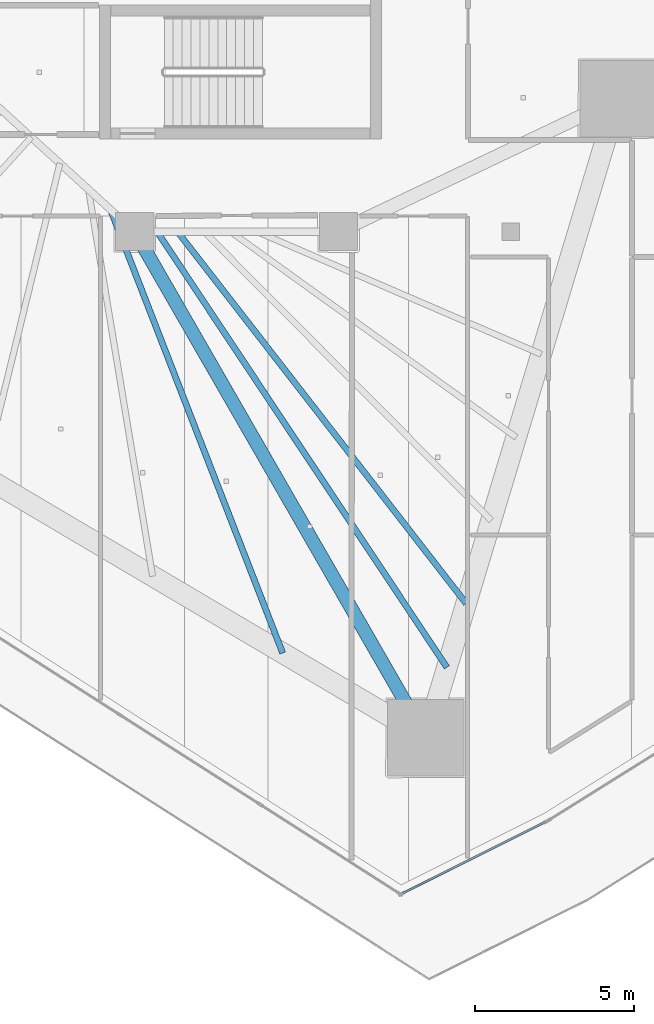
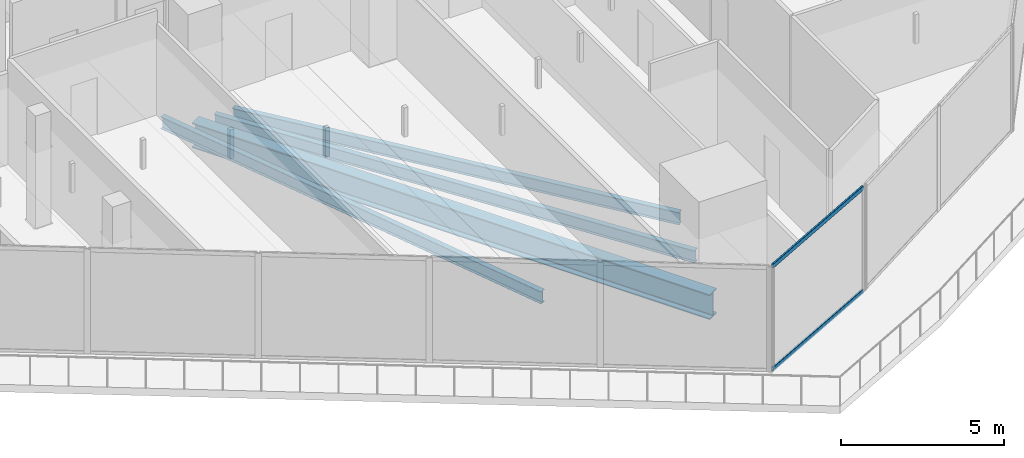
# One storey, part 7 of 44: 4 beams, 2 members, 1 element without a shape of its own.
"""IFC4 building model written with IfcOpenShell, lengths in metres."""

from ifc_helpers import new_model, si_unit, direction, frame, origin, origin_2d, place, context, subcontext, project, spatial, hollow_rectangle, i_section, extrude, material, layer, layer_set, material_profile, profile_set, type_object, element, aggregate, save


model = new_model("IFC4")

# Units and contexts
model_context = context("Model", 3, precision=1e-05, world=origin(), true_north=direction((0.0, 1.0)))
body_context = subcontext(model_context, "Body", "Model", "MODEL_VIEW")
ifc_project = project(units=[si_unit("LENGTHUNIT", "METRE"), si_unit("AREAUNIT", "SQUARE_METRE"), si_unit("VOLUMEUNIT", "CUBIC_METRE"), si_unit("PLANEANGLEUNIT", "RADIAN"), si_unit("MASSUNIT", "GRAM", prefix="KILO")], contexts=[model_context])

# Site, building, storey
site_placement = place(None, origin())
site = spatial("IfcSite", under=ifc_project, at=site_placement, CompositionType="ELEMENT")
building_placement = place(site_placement, origin())
building = spatial("IfcBuilding", under=site, at=building_placement, Name="Qorvath Tower", CompositionType="ELEMENT")
storey_placement = place(building_placement, frame((0.0, 0.0, 78.60009765625)))
storey = spatial("IfcBuildingStorey", under=building, at=storey_placement, Name="L17", CompositionType="ELEMENT", Elevation=78.60009765625)

# Beams
ifc_material_1 = material(Name="Steel ASTM A992 Grade 50", Category="steel")
ifc_material_profile_1 = material_profile(ifc_material_1, i_section(OverallWidth=0.422119140625, OverallDepth=0.93310546875, WebThickness=0.021240234375, FlangeThickness=0.039794921875, FilletRadius=0.02392578125, at=origin_2d()), Name="W36x262")
ifc_profile_set_1 = profile_set([ifc_material_profile_1], Name="Steel ASTM A992 Grade 50")
beam_type_1 = type_object("IfcBeamType", Name="BM-FG1", PredefinedType="BEAM", material=ifc_profile_set_1)
beam_1_placement = place(storey_placement, frame((-23.60009765625, -11.449951171875, -0.74658203125), z_axis=(0.498645367714, -0.866806089767, 0.0), x_axis=(0.866806089767, 0.498645367714, 0.0)))
element("IfcBeam", 1, at=beam_1_placement, inside=storey, type_object=beam_type_1, Name="Radial Floor Girder CC4-MC3 L17", PredefinedType="BEAM", context=body_context, shape_type="SweptSolid", body=[
    extrude(i_section(OverallWidth=0.422119140625, OverallDepth=0.93310546875, WebThickness=0.021240234375, FlangeThickness=0.039794921875, FilletRadius=0.02392578125, at=origin_2d()), origin(), (0.0, 0.0, 1.0), 18.321044921875),
])
ifc_material_2 = material(Name="Steel ASTM A992 Grade 50", Category="steel")
ifc_material_profile_2 = material_profile(ifc_material_2, i_section(OverallWidth=0.18994140625, OverallDepth=0.45703125, WebThickness=0.009033203125, FlangeThickness=0.014404296875, FilletRadius=0.011962890625, at=origin_2d()), Name="W18x50")
ifc_profile_set_2 = profile_set([ifc_material_profile_2], Name="Steel ASTM A992 Grade 50")
beam_type_2 = type_object("IfcBeamType", Name="BM-FJ2", PredefinedType="JOIST", material=ifc_profile_set_2)
beam_2_placement = place(storey_placement, frame((-22.256103515625, -11.449951171875, -0.508544921875), z_axis=(0.613206963859, -0.789922286984, 0.0), x_axis=(0.789922286984, 0.613206963859, 0.0)))
element("IfcBeam", 2, at=beam_2_placement, inside=storey, type_object=beam_type_2, Name="Composite Floor Joist SE6 L17", PredefinedType="JOIST", context=body_context, shape_type="SweptSolid", body=[
    extrude(i_section(OverallWidth=0.18994140625, OverallDepth=0.45703125, WebThickness=0.009033203125, FlangeThickness=0.014404296875, FilletRadius=0.011962890625, at=origin_2d()), origin(), (0.0, 0.0, 1.0), 14.77294921875),
])
beam_3_placement = place(storey_placement, frame((-22.89599609375, -11.449951171875, -0.508544921875), z_axis=(0.553811384989, -0.83264214994, 0.0), x_axis=(0.83264214994, 0.553811384989, 0.0)))
element("IfcBeam", 3, at=beam_3_placement, inside=storey, type_object=beam_type_2, Name="Composite Floor Joist SE7 L17", PredefinedType="JOIST", context=body_context, shape_type="SweptSolid", body=[
    extrude(i_section(OverallWidth=0.18994140625, OverallDepth=0.45703125, WebThickness=0.009033203125, FlangeThickness=0.014404296875, FilletRadius=0.011962890625, at=origin_2d()), origin(), (0.0, 0.0, 1.0), 16.42333984375),
])
beam_4_placement = place(storey_placement, frame((-24.35888671875, -10.757080078125, -0.508544921875), z_axis=(0.361964096586, -0.93219203643, 0.0), x_axis=(0.93219203643, 0.361964096586, 0.0)))
element("IfcBeam", 4, at=beam_4_placement, inside=storey, type_object=beam_type_2, Name="Composite Floor Joist SW7 L17", PredefinedType="JOIST", context=body_context, shape_type="SweptSolid", body=[
    extrude(i_section(OverallWidth=0.18994140625, OverallDepth=0.45703125, WebThickness=0.009033203125, FlangeThickness=0.014404296875, FilletRadius=0.011962890625, at=origin_2d()), origin(), (0.0, 0.0, 1.0), 14.93115234375),
])

# Curtain wall, members
ifc_material_3 = material(Name="Anodised aluminium and triple low-E glass", Category="aluminium")
ifc_layer = layer(ifc_material_3, 0.179931640625)
ifc_layer_set = layer_set([ifc_layer], Name="CW-SYS-5")
curtain_wall_type = type_object("IfcCurtainWallType", Name="CW-SYS-5", PredefinedType="NOTDEFINED", material=ifc_layer_set)
curtain_wall_placement = place(storey_placement, origin())
curtain_wall = element("IfcCurtainWall", 5, at=curtain_wall_placement, inside=storey, type_object=curtain_wall_type, Name="Curtain Wall CW-5 CW-T-L17-7.1", PredefinedType="NOTDEFINED")
ifc_material_4 = material(Name="Anodised aluminium 6063-T6", Category="aluminium")
ifc_material_profile_3 = material_profile(ifc_material_4, hollow_rectangle(XDim=0.06494140625, YDim=0.159912109375, WallThickness=0.00341796875, InnerFilletRadius=0.00341796875, OuterFilletRadius=0.007080078125, at=origin_2d()), Name="CWT 160x65")
ifc_profile_set_3 = profile_set([ifc_material_profile_3], Name="Anodised aluminium 6063-T6")
member_type = type_object("IfcMemberType", Name="CWT-160", PredefinedType="USERDEFINED", material=ifc_profile_set_3)
member_1_placement = place(storey_placement, frame((-15.184814453125, -32.21044921875, 0.032470703125), z_axis=(0.894427191, 0.4472135955, 0.0), x_axis=(-0.4472135955, 0.894427191, 0.0)))
member_1 = element("IfcMember", 6, at=member_1_placement, type_object=member_type, Name="CW-5 transom 1.1", ObjectType="TRANSOM", PredefinedType="USERDEFINED", context=body_context, shape_type="SweptSolid", body=[
    extrude(hollow_rectangle(XDim=0.06494140625, YDim=0.159912109375, WallThickness=0.00341796875, InnerFilletRadius=0.00341796875, OuterFilletRadius=0.007080078125, at=origin_2d()), origin(), (0.0, 0.0, 1.0), 5.0),
])
member_2_placement = place(storey_placement, frame((-15.184814453125, -32.21044921875, 3.887451171875), z_axis=(0.894427191, 0.4472135955, 0.0), x_axis=(-0.4472135955, 0.894427191, 0.0)))
member_2 = element("IfcMember", 7, at=member_2_placement, type_object=member_type, Name="CW-5 transom 1.2", ObjectType="TRANSOM", PredefinedType="USERDEFINED", context=body_context, shape_type="SweptSolid", body=[
    extrude(hollow_rectangle(XDim=0.06494140625, YDim=0.159912109375, WallThickness=0.00341796875, InnerFilletRadius=0.00341796875, OuterFilletRadius=0.007080078125, at=origin_2d()), origin(), (0.0, 0.0, 1.0), 5.0),
])
aggregate(curtain_wall, [member_1, member_2])

save(model, "model.ifc")
